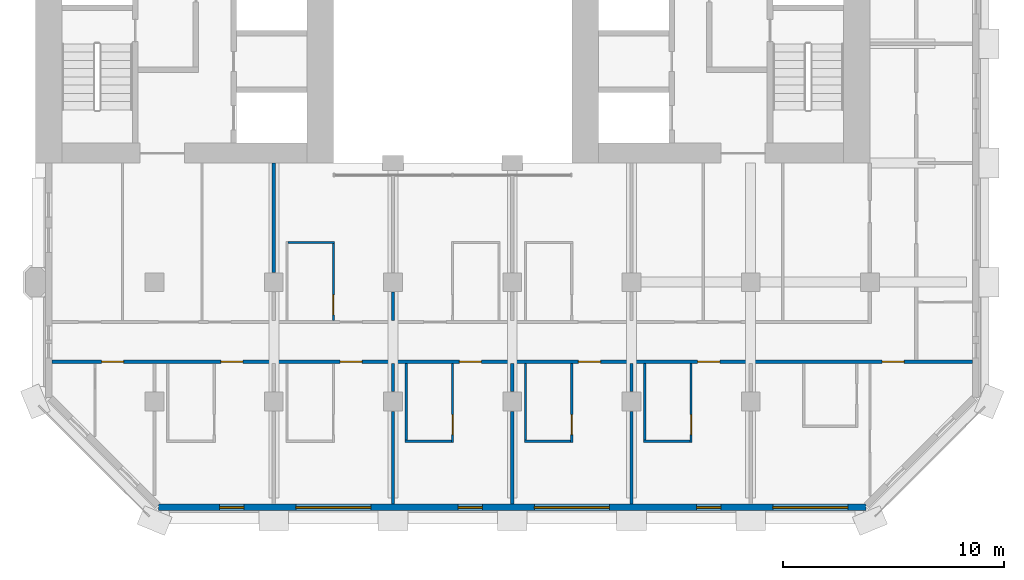
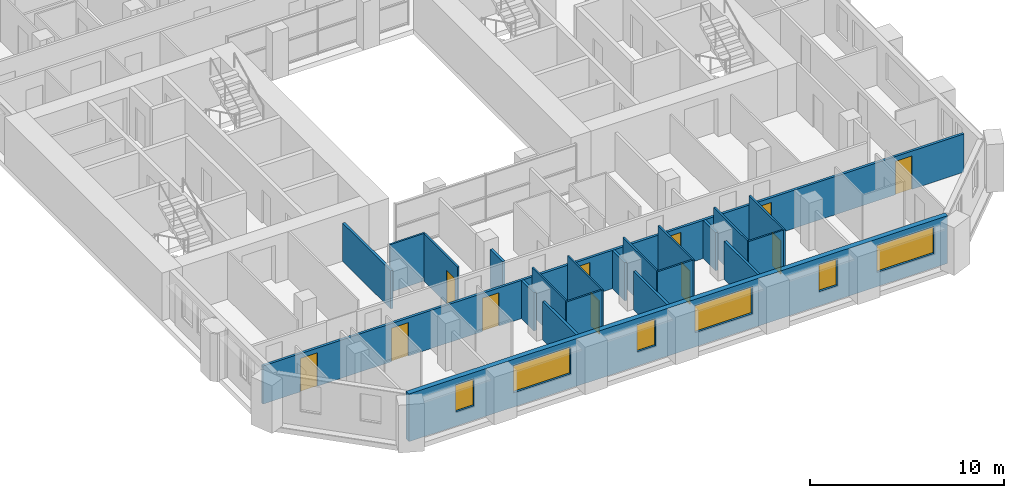
# One storey, part 8 of 16: 21 walls, 11 doors, 6 windows, 17 openings.
"""IFC4 building model written with IfcOpenShell, lengths in metres."""

from ifc_helpers import new_model, si_unit, direction, frame, frame_2d, origin, place, context, subcontext, project, spatial, rectangle, extrude, material, layer, layer_set, type_object, element, fill, save


model = new_model("IFC4")

# Units and contexts
model_context = context("Model", 3, precision=1e-05, world=origin(), true_north=direction((0.0, 1.0)))
body_context = subcontext(model_context, "Body", "Model", "MODEL_VIEW")
ifc_project = project(units=[si_unit("LENGTHUNIT", "METRE"), si_unit("AREAUNIT", "SQUARE_METRE"), si_unit("VOLUMEUNIT", "CUBIC_METRE"), si_unit("PLANEANGLEUNIT", "RADIAN"), si_unit("MASSUNIT", "GRAM", prefix="KILO")], contexts=[model_context])

# Site, building, storey
site_placement = place(None, origin())
site = spatial("IfcSite", under=ifc_project, at=site_placement, CompositionType="ELEMENT")
building_placement = place(site_placement, origin())
building = spatial("IfcBuilding", under=site, at=building_placement, Name="Tabaq Tower and Sports Hall", CompositionType="ELEMENT")
storey_placement = place(building_placement, frame((0.0, 0.0, 156.10009765625)))
storey = spatial("IfcBuildingStorey", under=building, at=storey_placement, Name="L36", CompositionType="ELEMENT", Elevation=156.10009765625)

# Wall
ifc_material_1 = material(Name="Gypsum board on steel studs", Category="steel")
ifc_layer_1 = layer(ifc_material_1, 0.10009765625)
ifc_layer_set_1 = layer_set([ifc_layer_1], Name="Partition 100 Gypsum board")
wall_type_1 = type_object("IfcWallType", Name="Partition 100 Gypsum board", PredefinedType="PARTITIONING", material=ifc_layer_set_1)
wall_1_placement = place(storey_placement, frame((16.85009765625, 12.60009765625, 0.0), z_axis=(0.0, 0.0, 1.0), x_axis=(1.0, 0.0, 0.0)))
element("IfcWall", 1, at=wall_1_placement, inside=storey, type_object=wall_type_1, Name="Partition wall L36", PredefinedType="PARTITIONING", context=body_context, shape_type="SweptSolid", body=[
    extrude(rectangle(XDim=2.099853515625, YDim=0.10009765625, at=frame_2d((1.0498046875, 0.0))), origin(), (0.0, 0.0, 1.0), 3.0),
])

# Wall, opening, door
wall_2_placement = place(storey_placement, frame((18.89990234375, 12.550048828125, 0.0), z_axis=(0.0, 0.0, 1.0), x_axis=(0.0, -1.0, 0.0)))
wall_2 = element("IfcWall", 2, at=wall_2_placement, inside=storey, type_object=wall_type_1, Name="Partition wall L36", PredefinedType="PARTITIONING", context=body_context, shape_type="SweptSolid", body=[
    extrude(rectangle(XDim=3.47509765625, YDim=0.10009765625, at=frame_2d((1.737548828125, 0.0))), origin(), (0.0, 0.0, 1.0), 3.0),
])
opening_1_placement = place(wall_2_placement, frame((2.324951171875, 0.0, 0.0)))
opening_1 = element("IfcOpeningElement", 3, at=opening_1_placement, cuts=wall_2, Name="Opening L36-014", PredefinedType="OPENING", context=body_context, shape_type="SweptSolid", body=[
    extrude(rectangle(XDim=0.89990234375, YDim=2.10009765625, at=frame_2d((0.449951171875, 1.050048828125))), frame((0.0, 0.050048828125, 0.0), z_axis=(0.0, -1.0, 0.0), x_axis=(1.0, 0.0, 0.0)), (0.0, 0.0, 1.0), 0.10009765625),
])
ifc_material_2 = material(Name="Timber leaf in steel frame", Category="steel")
door_type_1 = type_object("IfcDoorType", Name="Internal door 900 right hand", OperationType="SINGLE_SWING_RIGHT", PredefinedType="DOOR", material=ifc_material_2)
door_1_placement = place(opening_1_placement, origin())
door_1 = element("IfcDoor", 4, at=door_1_placement, inside=storey, type_object=door_type_1, Name="Internal door L36-014", OperationType="SINGLE_SWING_RIGHT", OverallHeight=2.10009765625, OverallWidth=0.89990234375, PredefinedType="DOOR", context=body_context, shape_type="SweptSolid", body=[
    extrude(rectangle(XDim=0.89990234375, YDim=2.10009765625, at=frame_2d((0.449951171875, 1.050048828125))), frame((0.0, 0.02490234375, 0.0), z_axis=(0.0, -1.0, 0.0), x_axis=(1.0, 0.0, 0.0)), (0.0, 0.0, 1.0), 0.050048828125),
])
fill(opening_1, door_1)

wall_3_placement = place(storey_placement, frame((24.300048828125, 7.125, 0.0), z_axis=(0.0, 0.0, 1.0), x_axis=(0.0, -1.0, 0.0)))
wall_3 = element("IfcWall", 5, at=wall_3_placement, inside=storey, type_object=wall_type_1, Name="Partition wall L36", PredefinedType="PARTITIONING", context=body_context, shape_type="SweptSolid", body=[
    extrude(rectangle(XDim=3.574951171875, YDim=0.10009765625, at=frame_2d((1.78759765625, 0.0))), origin(), (0.0, 0.0, 1.0), 3.0),
])
opening_2_placement = place(wall_3_placement, frame((2.324951171875, 0.0, 0.0)))
opening_2 = element("IfcOpeningElement", 6, at=opening_2_placement, cuts=wall_3, Name="Opening L36-021", PredefinedType="OPENING", context=body_context, shape_type="SweptSolid", body=[
    extrude(rectangle(XDim=0.89990234375, YDim=2.10009765625, at=frame_2d((0.449951171875, 1.050048828125))), frame((0.0, 0.050048828125, 0.0), z_axis=(0.0, -1.0, 0.0), x_axis=(1.0, 0.0, 0.0)), (0.0, 0.0, 1.0), 0.10009765625),
])
ifc_material_3 = material(Name="Timber leaf in steel frame", Category="steel")
door_type_2 = type_object("IfcDoorType", Name="Internal door 900 left hand", OperationType="SINGLE_SWING_LEFT", PredefinedType="DOOR", material=ifc_material_3)
door_2_placement = place(opening_2_placement, origin())
door_2 = element("IfcDoor", 7, at=door_2_placement, inside=storey, type_object=door_type_2, Name="Internal door L36-021", OperationType="SINGLE_SWING_LEFT", OverallHeight=2.10009765625, OverallWidth=0.89990234375, PredefinedType="DOOR", context=body_context, shape_type="SweptSolid", body=[
    extrude(rectangle(XDim=0.89990234375, YDim=2.10009765625, at=frame_2d((0.449951171875, 1.050048828125))), frame((0.0, 0.02490234375, 0.0), z_axis=(0.0, -1.0, 0.0), x_axis=(1.0, 0.0, 0.0)), (0.0, 0.0, 1.0), 0.050048828125),
])
fill(opening_2, door_2)

# Walls
wall_4_placement = place(storey_placement, frame((24.25, 3.60009765625, 0.0), z_axis=(0.0, 0.0, 1.0), x_axis=(-1.0, 0.0, 0.0)))
element("IfcWall", 8, at=wall_4_placement, inside=storey, type_object=wall_type_1, Name="Partition wall L36", PredefinedType="PARTITIONING", context=body_context, shape_type="SweptSolid", body=[
    extrude(rectangle(XDim=2.10009765625, YDim=0.10009765625, at=frame_2d((1.050048828125, 0.0))), origin(), (0.0, 0.0, 1.0), 3.0),
])
wall_5_placement = place(storey_placement, frame((22.199951171875, 3.64990234375, 0.0), z_axis=(0.0, 0.0, 1.0), x_axis=(0.0, 1.0, 0.0)))
element("IfcWall", 9, at=wall_5_placement, inside=storey, type_object=wall_type_1, Name="Partition wall L36", PredefinedType="PARTITIONING", context=body_context, shape_type="SweptSolid", body=[
    extrude(rectangle(XDim=3.47509765625, YDim=0.10009765625, at=frame_2d((1.737548828125, 0.0))), origin(), (0.0, 0.0, 1.0), 3.0),
])

# Wall, opening, door
wall_6_placement = place(storey_placement, frame((29.699951171875, 7.125, 0.0), z_axis=(0.0, 0.0, 1.0), x_axis=(0.0, -1.0, 0.0)))
wall_6 = element("IfcWall", 10, at=wall_6_placement, inside=storey, type_object=wall_type_1, Name="Partition wall L36", PredefinedType="PARTITIONING", context=body_context, shape_type="SweptSolid", body=[
    extrude(rectangle(XDim=3.574951171875, YDim=0.10009765625, at=frame_2d((1.78759765625, 0.0))), origin(), (0.0, 0.0, 1.0), 3.0),
])
opening_3_placement = place(wall_6_placement, frame((2.324951171875, 0.0, 0.0)))
opening_3 = element("IfcOpeningElement", 11, at=opening_3_placement, cuts=wall_6, Name="Opening L36-022", PredefinedType="OPENING", context=body_context, shape_type="SweptSolid", body=[
    extrude(rectangle(XDim=0.89990234375, YDim=2.10009765625, at=frame_2d((0.449951171875, 1.050048828125))), frame((0.0, 0.050048828125, 0.0), z_axis=(0.0, -1.0, 0.0), x_axis=(1.0, 0.0, 0.0)), (0.0, 0.0, 1.0), 0.10009765625),
])
door_3_placement = place(opening_3_placement, origin())
door_3 = element("IfcDoor", 12, at=door_3_placement, inside=storey, type_object=door_type_1, Name="Internal door L36-022", OperationType="SINGLE_SWING_RIGHT", OverallHeight=2.10009765625, OverallWidth=0.89990234375, PredefinedType="DOOR", context=body_context, shape_type="SweptSolid", body=[
    extrude(rectangle(XDim=0.89990234375, YDim=2.10009765625, at=frame_2d((0.449951171875, 1.050048828125))), frame((0.0, 0.02490234375, 0.0), z_axis=(0.0, -1.0, 0.0), x_axis=(1.0, 0.0, 0.0)), (0.0, 0.0, 1.0), 0.050048828125),
])
fill(opening_3, door_3)

# Walls
wall_7_placement = place(storey_placement, frame((29.64990234375, 3.60009765625, 0.0), z_axis=(0.0, 0.0, 1.0), x_axis=(-1.0, 0.0, 0.0)))
element("IfcWall", 13, at=wall_7_placement, inside=storey, type_object=wall_type_1, Name="Partition wall L36", PredefinedType="PARTITIONING", context=body_context, shape_type="SweptSolid", body=[
    extrude(rectangle(XDim=2.099853515625, YDim=0.10009765625, at=frame_2d((1.0498046875, 0.0))), origin(), (0.0, 0.0, 1.0), 3.0),
])
wall_8_placement = place(storey_placement, frame((27.60009765625, 3.64990234375, 0.0), z_axis=(0.0, 0.0, 1.0), x_axis=(0.0, 1.0, 0.0)))
element("IfcWall", 14, at=wall_8_placement, inside=storey, type_object=wall_type_1, Name="Partition wall L36", PredefinedType="PARTITIONING", context=body_context, shape_type="SweptSolid", body=[
    extrude(rectangle(XDim=3.47509765625, YDim=0.10009765625, at=frame_2d((1.737548828125, 0.0))), origin(), (0.0, 0.0, 1.0), 3.0),
])

# Wall, opening, door
wall_9_placement = place(storey_placement, frame((35.10009765625, 7.125, 0.0), z_axis=(0.0, 0.0, 1.0), x_axis=(0.0, -1.0, 0.0)))
wall_9 = element("IfcWall", 15, at=wall_9_placement, inside=storey, type_object=wall_type_1, Name="Partition wall L36", PredefinedType="PARTITIONING", context=body_context, shape_type="SweptSolid", body=[
    extrude(rectangle(XDim=3.574951171875, YDim=0.10009765625, at=frame_2d((1.78759765625, 0.0))), origin(), (0.0, 0.0, 1.0), 3.0),
])
opening_4_placement = place(wall_9_placement, frame((2.324951171875, 0.0, 0.0)))
opening_4 = element("IfcOpeningElement", 16, at=opening_4_placement, cuts=wall_9, Name="Opening L36-023", PredefinedType="OPENING", context=body_context, shape_type="SweptSolid", body=[
    extrude(rectangle(XDim=0.89990234375, YDim=2.10009765625, at=frame_2d((0.449951171875, 1.050048828125))), frame((0.0, 0.050048828125, 0.0), z_axis=(0.0, -1.0, 0.0), x_axis=(1.0, 0.0, 0.0)), (0.0, 0.0, 1.0), 0.10009765625),
])
door_4_placement = place(opening_4_placement, origin())
door_4 = element("IfcDoor", 17, at=door_4_placement, inside=storey, type_object=door_type_1, Name="Internal door L36-023", OperationType="SINGLE_SWING_RIGHT", OverallHeight=2.10009765625, OverallWidth=0.89990234375, PredefinedType="DOOR", context=body_context, shape_type="SweptSolid", body=[
    extrude(rectangle(XDim=0.89990234375, YDim=2.10009765625, at=frame_2d((0.449951171875, 1.050048828125))), frame((0.0, 0.02490234375, 0.0), z_axis=(0.0, -1.0, 0.0), x_axis=(1.0, 0.0, 0.0)), (0.0, 0.0, 1.0), 0.050048828125),
])
fill(opening_4, door_4)

# Walls
wall_10_placement = place(storey_placement, frame((35.050048828125, 3.60009765625, 0.0), z_axis=(0.0, 0.0, 1.0), x_axis=(-1.0, 0.0, 0.0)))
element("IfcWall", 18, at=wall_10_placement, inside=storey, type_object=wall_type_1, Name="Partition wall L36", PredefinedType="PARTITIONING", context=body_context, shape_type="SweptSolid", body=[
    extrude(rectangle(XDim=2.10009765625, YDim=0.10009765625, at=frame_2d((1.050048828125, 0.0))), origin(), (0.0, 0.0, 1.0), 3.0),
])
wall_11_placement = place(storey_placement, frame((33.0, 3.64990234375, 0.0), z_axis=(0.0, 0.0, 1.0), x_axis=(0.0, 1.0, 0.0)))
element("IfcWall", 19, at=wall_11_placement, inside=storey, type_object=wall_type_1, Name="Partition wall L36", PredefinedType="PARTITIONING", context=body_context, shape_type="SweptSolid", body=[
    extrude(rectangle(XDim=3.47509765625, YDim=0.10009765625, at=frame_2d((1.737548828125, 0.0))), origin(), (0.0, 0.0, 1.0), 3.0),
])
ifc_material_4 = material(Name="Blockwork", Category="masonry")
ifc_layer_2 = layer(ifc_material_4, 0.14990234375)
ifc_layer_set_2 = layer_set([ifc_layer_2], Name="Separating wall 150 Blockwork")
wall_type_2 = type_object("IfcWallType", Name="Separating wall 150 Blockwork", PredefinedType="PARTITIONING", material=ifc_layer_set_2)
wall_12_placement = place(storey_placement, frame((16.199951171875, 16.199951171875, 0.0), z_axis=(0.0, 0.0, 1.0), x_axis=(0.0, -1.0, 0.0)))
element("IfcWall", 20, at=wall_12_placement, inside=storey, type_object=wall_type_2, Name="Separating wall L36", PredefinedType="PARTITIONING", context=body_context, shape_type="SweptSolid", body=[
    extrude(rectangle(XDim=4.954833984375, YDim=0.14990234375, at=frame_2d((2.4775390625, 0.0))), origin(), (0.0, 0.0, 1.0), 2.39990234375),
])
wall_13_placement = place(storey_placement, frame((21.60009765625, 9.074951171875, 0.0), z_axis=(0.0, 0.0, 1.0), x_axis=(0.0, 1.0, 0.0)))
element("IfcWall", 21, at=wall_13_placement, inside=storey, type_object=wall_type_2, Name="Separating wall L36", PredefinedType="PARTITIONING", context=body_context, shape_type="SweptSolid", body=[
    extrude(rectangle(XDim=1.280029296875, YDim=0.14990234375, at=frame_2d((0.64013671875, 0.0))), origin(), (0.0, 0.0, 1.0), 2.39990234375),
])
wall_14_placement = place(storey_placement, frame((21.60009765625, 0.7509765625, 0.0), z_axis=(0.0, 0.0, 1.0), x_axis=(0.0, 1.0, 0.0)))
element("IfcWall", 22, at=wall_14_placement, inside=storey, type_object=wall_type_2, Name="Separating wall L36", PredefinedType="PARTITIONING", context=body_context, shape_type="SweptSolid", body=[
    extrude(rectangle(XDim=4.2041015625, YDim=0.14990234375, at=frame_2d((2.10205078125, 0.0))), origin(), (0.0, 0.0, 1.0), 2.39990234375),
])
wall_15_placement = place(storey_placement, frame((21.60009765625, 5.844970703125, 0.0), z_axis=(0.0, 0.0, 1.0), x_axis=(0.0, 1.0, 0.0)))
element("IfcWall", 23, at=wall_15_placement, inside=storey, type_object=wall_type_2, Name="Separating wall L36", PredefinedType="PARTITIONING", context=body_context, shape_type="SweptSolid", body=[
    extrude(rectangle(XDim=1.280029296875, YDim=0.14990234375, at=frame_2d((0.64013671875, 0.0))), origin(), (0.0, 0.0, 1.0), 2.39990234375),
])
wall_16_placement = place(storey_placement, frame((27.0, 0.7509765625, 0.0), z_axis=(0.0, 0.0, 1.0), x_axis=(0.0, 1.0, 0.0)))
element("IfcWall", 24, at=wall_16_placement, inside=storey, type_object=wall_type_2, Name="Separating wall L36", PredefinedType="PARTITIONING", context=body_context, shape_type="SweptSolid", body=[
    extrude(rectangle(XDim=4.2041015625, YDim=0.14990234375, at=frame_2d((2.10205078125, 0.0))), origin(), (0.0, 0.0, 1.0), 2.39990234375),
])
wall_17_placement = place(storey_placement, frame((27.0, 5.844970703125, 0.0), z_axis=(0.0, 0.0, 1.0), x_axis=(0.0, 1.0, 0.0)))
element("IfcWall", 25, at=wall_17_placement, inside=storey, type_object=wall_type_2, Name="Separating wall L36", PredefinedType="PARTITIONING", context=body_context, shape_type="SweptSolid", body=[
    extrude(rectangle(XDim=1.280029296875, YDim=0.14990234375, at=frame_2d((0.64013671875, 0.0))), origin(), (0.0, 0.0, 1.0), 2.39990234375),
])
wall_18_placement = place(storey_placement, frame((32.39990234375, 0.7509765625, 0.0), z_axis=(0.0, 0.0, 1.0), x_axis=(0.0, 1.0, 0.0)))
element("IfcWall", 26, at=wall_18_placement, inside=storey, type_object=wall_type_2, Name="Separating wall L36", PredefinedType="PARTITIONING", context=body_context, shape_type="SweptSolid", body=[
    extrude(rectangle(XDim=4.2041015625, YDim=0.14990234375, at=frame_2d((2.10205078125, 0.0))), origin(), (0.0, 0.0, 1.0), 2.39990234375),
])
wall_19_placement = place(storey_placement, frame((32.39990234375, 5.844970703125, 0.0), z_axis=(0.0, 0.0, 1.0), x_axis=(0.0, 1.0, 0.0)))
element("IfcWall", 27, at=wall_19_placement, inside=storey, type_object=wall_type_2, Name="Separating wall L36", PredefinedType="PARTITIONING", context=body_context, shape_type="SweptSolid", body=[
    extrude(rectangle(XDim=1.280029296875, YDim=0.14990234375, at=frame_2d((0.64013671875, 0.0))), origin(), (0.0, 0.0, 1.0), 2.39990234375),
])

# Wall, openings, doors
wall_20_placement = place(storey_placement, frame((6.15087890625, 7.199951171875, 0.0), z_axis=(0.0, 0.0, 1.0), x_axis=(1.0, 0.0, 0.0)))
wall_20 = element("IfcWall", 28, at=wall_20_placement, inside=storey, type_object=wall_type_2, Name="Separating wall L36", PredefinedType="PARTITIONING", context=body_context, shape_type="SweptSolid", body=[
    extrude(rectangle(XDim=41.6982421875, YDim=0.14990234375, at=frame_2d((20.84912109375, 0.0))), origin(), (0.0, 0.0, 1.0), 2.39990234375),
])
opening_5_placement = place(wall_20_placement, frame((2.2490234375, 0.0, 0.0)))
opening_5 = element("IfcOpeningElement", 29, at=opening_5_placement, cuts=wall_20, Name="Opening L36-045", PredefinedType="OPENING", context=body_context, shape_type="SweptSolid", body=[
    extrude(rectangle(XDim=1.0, YDim=2.10009765625, at=frame_2d((0.5, 1.050048828125))), frame((0.0, 0.074951171875, 0.0), z_axis=(0.0, -1.0, 0.0), x_axis=(1.0, 0.0, 0.0)), (0.0, 0.0, 1.0), 0.14990234375),
])
opening_6_placement = place(wall_20_placement, frame((7.64892578125, 0.0, 0.0)))
opening_6 = element("IfcOpeningElement", 30, at=opening_6_placement, cuts=wall_20, Name="Opening L36-046", PredefinedType="OPENING", context=body_context, shape_type="SweptSolid", body=[
    extrude(rectangle(XDim=1.0, YDim=2.10009765625, at=frame_2d((0.5, 1.050048828125))), frame((0.0, 0.074951171875, 0.0), z_axis=(0.0, -1.0, 0.0), x_axis=(1.0, 0.0, 0.0)), (0.0, 0.0, 1.0), 0.14990234375),
])
opening_7_placement = place(wall_20_placement, frame((13.049072265625, 0.0, 0.0)))
opening_7 = element("IfcOpeningElement", 31, at=opening_7_placement, cuts=wall_20, Name="Opening L36-047", PredefinedType="OPENING", context=body_context, shape_type="SweptSolid", body=[
    extrude(rectangle(XDim=1.0, YDim=2.10009765625, at=frame_2d((0.5, 1.050048828125))), frame((0.0, 0.074951171875, 0.0), z_axis=(0.0, -1.0, 0.0), x_axis=(1.0, 0.0, 0.0)), (0.0, 0.0, 1.0), 0.14990234375),
])
opening_8_placement = place(wall_20_placement, frame((18.448974609375, 0.0, 0.0)))
opening_8 = element("IfcOpeningElement", 32, at=opening_8_placement, cuts=wall_20, Name="Opening L36-048", PredefinedType="OPENING", context=body_context, shape_type="SweptSolid", body=[
    extrude(rectangle(XDim=1.0, YDim=2.10009765625, at=frame_2d((0.5, 1.050048828125))), frame((0.0, 0.074951171875, 0.0), z_axis=(0.0, -1.0, 0.0), x_axis=(1.0, 0.0, 0.0)), (0.0, 0.0, 1.0), 0.14990234375),
])
opening_9_placement = place(wall_20_placement, frame((23.84912109375, 0.0, 0.0)))
opening_9 = element("IfcOpeningElement", 33, at=opening_9_placement, cuts=wall_20, Name="Opening L36-049", PredefinedType="OPENING", context=body_context, shape_type="SweptSolid", body=[
    extrude(rectangle(XDim=1.0, YDim=2.10009765625, at=frame_2d((0.5, 1.050048828125))), frame((0.0, 0.074951171875, 0.0), z_axis=(0.0, -1.0, 0.0), x_axis=(1.0, 0.0, 0.0)), (0.0, 0.0, 1.0), 0.14990234375),
])
opening_10_placement = place(wall_20_placement, frame((29.2490234375, 0.0, 0.0)))
opening_10 = element("IfcOpeningElement", 34, at=opening_10_placement, cuts=wall_20, Name="Opening L36-050", PredefinedType="OPENING", context=body_context, shape_type="SweptSolid", body=[
    extrude(rectangle(XDim=1.0, YDim=2.10009765625, at=frame_2d((0.5, 1.050048828125))), frame((0.0, 0.074951171875, 0.0), z_axis=(0.0, -1.0, 0.0), x_axis=(1.0, 0.0, 0.0)), (0.0, 0.0, 1.0), 0.14990234375),
])
opening_11_placement = place(wall_20_placement, frame((37.59912109375, 0.0, 0.0)))
opening_11 = element("IfcOpeningElement", 35, at=opening_11_placement, cuts=wall_20, Name="Opening L36-052", PredefinedType="OPENING", context=body_context, shape_type="SweptSolid", body=[
    extrude(rectangle(XDim=1.0, YDim=2.10009765625, at=frame_2d((0.5, 1.050048828125))), frame((0.0, 0.074951171875, 0.0), z_axis=(0.0, -1.0, 0.0), x_axis=(1.0, 0.0, 0.0)), (0.0, 0.0, 1.0), 0.14990234375),
])
ifc_material_5 = material(Name="Steel fire door", Category="steel")
door_type_3 = type_object("IfcDoorType", Name="Entrance door 1000 left hand", OperationType="SINGLE_SWING_LEFT", PredefinedType="DOOR", material=ifc_material_5)
door_5_placement = place(opening_6_placement, origin())
door_5 = element("IfcDoor", 36, at=door_5_placement, inside=storey, type_object=door_type_3, Name="Entrance door L36-046", OperationType="SINGLE_SWING_LEFT", OverallHeight=2.10009765625, OverallWidth=1.0, PredefinedType="DOOR", context=body_context, shape_type="SweptSolid", body=[
    extrude(rectangle(XDim=1.0, YDim=2.10009765625, at=frame_2d((0.5, 1.050048828125))), frame((0.0, 0.02490234375, 0.0), z_axis=(0.0, -1.0, 0.0), x_axis=(1.0, 0.0, 0.0)), (0.0, 0.0, 1.0), 0.050048828125),
])
fill(opening_6, door_5)
door_6_placement = place(opening_7_placement, origin())
door_6 = element("IfcDoor", 37, at=door_6_placement, inside=storey, type_object=door_type_3, Name="Entrance door L36-047", OperationType="SINGLE_SWING_LEFT", OverallHeight=2.10009765625, OverallWidth=1.0, PredefinedType="DOOR", context=body_context, shape_type="SweptSolid", body=[
    extrude(rectangle(XDim=1.0, YDim=2.10009765625, at=frame_2d((0.5, 1.050048828125))), frame((0.0, 0.02490234375, 0.0), z_axis=(0.0, -1.0, 0.0), x_axis=(1.0, 0.0, 0.0)), (0.0, 0.0, 1.0), 0.050048828125),
])
fill(opening_7, door_6)
door_7_placement = place(opening_10_placement, origin())
door_7 = element("IfcDoor", 38, at=door_7_placement, inside=storey, type_object=door_type_3, Name="Entrance door L36-050", OperationType="SINGLE_SWING_LEFT", OverallHeight=2.10009765625, OverallWidth=1.0, PredefinedType="DOOR", context=body_context, shape_type="SweptSolid", body=[
    extrude(rectangle(XDim=1.0, YDim=2.10009765625, at=frame_2d((0.5, 1.050048828125))), frame((0.0, 0.02490234375, 0.0), z_axis=(0.0, -1.0, 0.0), x_axis=(1.0, 0.0, 0.0)), (0.0, 0.0, 1.0), 0.050048828125),
])
fill(opening_10, door_7)
ifc_material_6 = material(Name="Steel fire door", Category="steel")
door_type_4 = type_object("IfcDoorType", Name="Entrance door 1000 right hand", OperationType="SINGLE_SWING_RIGHT", PredefinedType="DOOR", material=ifc_material_6)
door_8_placement = place(opening_5_placement, origin())
door_8 = element("IfcDoor", 39, at=door_8_placement, inside=storey, type_object=door_type_4, Name="Entrance door L36-045", OperationType="SINGLE_SWING_RIGHT", OverallHeight=2.10009765625, OverallWidth=1.0, PredefinedType="DOOR", context=body_context, shape_type="SweptSolid", body=[
    extrude(rectangle(XDim=1.0, YDim=2.10009765625, at=frame_2d((0.5, 1.050048828125))), frame((0.0, 0.02490234375, 0.0), z_axis=(0.0, -1.0, 0.0), x_axis=(1.0, 0.0, 0.0)), (0.0, 0.0, 1.0), 0.050048828125),
])
fill(opening_5, door_8)
door_9_placement = place(opening_8_placement, origin())
door_9 = element("IfcDoor", 40, at=door_9_placement, inside=storey, type_object=door_type_4, Name="Entrance door L36-048", OperationType="SINGLE_SWING_RIGHT", OverallHeight=2.10009765625, OverallWidth=1.0, PredefinedType="DOOR", context=body_context, shape_type="SweptSolid", body=[
    extrude(rectangle(XDim=1.0, YDim=2.10009765625, at=frame_2d((0.5, 1.050048828125))), frame((0.0, 0.02490234375, 0.0), z_axis=(0.0, -1.0, 0.0), x_axis=(1.0, 0.0, 0.0)), (0.0, 0.0, 1.0), 0.050048828125),
])
fill(opening_8, door_9)
door_10_placement = place(opening_9_placement, origin())
door_10 = element("IfcDoor", 41, at=door_10_placement, inside=storey, type_object=door_type_4, Name="Entrance door L36-049", OperationType="SINGLE_SWING_RIGHT", OverallHeight=2.10009765625, OverallWidth=1.0, PredefinedType="DOOR", context=body_context, shape_type="SweptSolid", body=[
    extrude(rectangle(XDim=1.0, YDim=2.10009765625, at=frame_2d((0.5, 1.050048828125))), frame((0.0, 0.02490234375, 0.0), z_axis=(0.0, -1.0, 0.0), x_axis=(1.0, 0.0, 0.0)), (0.0, 0.0, 1.0), 0.050048828125),
])
fill(opening_9, door_10)
door_11_placement = place(opening_11_placement, origin())
door_11 = element("IfcDoor", 42, at=door_11_placement, inside=storey, type_object=door_type_4, Name="Entrance door L36-052", OperationType="SINGLE_SWING_RIGHT", OverallHeight=2.10009765625, OverallWidth=1.0, PredefinedType="DOOR", context=body_context, shape_type="SweptSolid", body=[
    extrude(rectangle(XDim=1.0, YDim=2.10009765625, at=frame_2d((0.5, 1.050048828125))), frame((0.0, 0.02490234375, 0.0), z_axis=(0.0, -1.0, 0.0), x_axis=(1.0, 0.0, 0.0)), (0.0, 0.0, 1.0), 0.050048828125),
])
fill(opening_11, door_11)

# Wall, openings, windows
ifc_material_7 = material(Name="White precast concrete C60/75", Category="concrete")
ifc_layer_3 = layer(ifc_material_7, 0.300048828125)
ifc_layer_set_3 = layer_set([ifc_layer_3], Name="White precast concrete C60/75 external wall 300")
wall_type_3 = type_object("IfcWallType", Name="White precast concrete C60/75 external wall 300", PredefinedType="SOLIDWALL", material=ifc_layer_set_3)
wall_21_placement = place(storey_placement, frame((10.986328125, 0.60009765625, 0.0), z_axis=(0.0, 0.0, 1.0), x_axis=(1.0, 0.0, 0.0)))
wall_21 = element("IfcWall", 43, at=wall_21_placement, inside=storey, type_object=wall_type_3, Name="External Wall L36 S", PredefinedType="SOLIDWALL", context=body_context, shape_type="SweptSolid", body=[
    extrude(rectangle(XDim=32.02734375, YDim=0.300048828125, at=frame_2d((16.013671875, 0.0))), origin(), (0.0, 0.0, 1.0), 3.0),
])
opening_12_placement = place(wall_21_placement, frame((2.763671875, 0.0, 0.89990234375)))
opening_12 = element("IfcOpeningElement", 44, at=opening_12_placement, cuts=wall_21, Name="Opening W1B", PredefinedType="OPENING", context=body_context, shape_type="SweptSolid", body=[
    extrude(rectangle(XDim=1.10009765625, YDim=1.699951171875, at=frame_2d((0.550048828125, 0.85009765625))), frame((0.0, 0.16015625, 0.0), z_axis=(0.0, -1.0, 0.0), x_axis=(1.0, 0.0, 0.0)), (0.0, 0.0, 1.0), 0.320068359375),
])
opening_13_placement = place(wall_21_placement, frame((6.213623046875, 0.0, 0.89990234375)))
opening_13 = element("IfcOpeningElement", 45, at=opening_13_placement, cuts=wall_21, Name="Opening W1A", PredefinedType="OPENING", context=body_context, shape_type="SweptSolid", body=[
    extrude(rectangle(XDim=3.39990234375, YDim=1.699951171875, at=frame_2d((1.699951171875, 0.85009765625))), frame((0.0, 0.16015625, 0.0), z_axis=(0.0, -1.0, 0.0), x_axis=(1.0, 0.0, 0.0)), (0.0, 0.0, 1.0), 0.320068359375),
])
opening_14_placement = place(wall_21_placement, frame((13.563720703125, 0.0, 0.89990234375)))
opening_14 = element("IfcOpeningElement", 46, at=opening_14_placement, cuts=wall_21, Name="Opening W1B", PredefinedType="OPENING", context=body_context, shape_type="SweptSolid", body=[
    extrude(rectangle(XDim=1.10009765625, YDim=1.699951171875, at=frame_2d((0.550048828125, 0.85009765625))), frame((0.0, 0.16015625, 0.0), z_axis=(0.0, -1.0, 0.0), x_axis=(1.0, 0.0, 0.0)), (0.0, 0.0, 1.0), 0.320068359375),
])
opening_15_placement = place(wall_21_placement, frame((17.013671875, 0.0, 0.89990234375)))
opening_15 = element("IfcOpeningElement", 47, at=opening_15_placement, cuts=wall_21, Name="Opening W1A", PredefinedType="OPENING", context=body_context, shape_type="SweptSolid", body=[
    extrude(rectangle(XDim=3.39990234375, YDim=1.699951171875, at=frame_2d((1.699951171875, 0.85009765625))), frame((0.0, 0.16015625, 0.0), z_axis=(0.0, -1.0, 0.0), x_axis=(1.0, 0.0, 0.0)), (0.0, 0.0, 1.0), 0.320068359375),
])
opening_16_placement = place(wall_21_placement, frame((24.363525390625, 0.0, 0.89990234375)))
opening_16 = element("IfcOpeningElement", 48, at=opening_16_placement, cuts=wall_21, Name="Opening W1B", PredefinedType="OPENING", context=body_context, shape_type="SweptSolid", body=[
    extrude(rectangle(XDim=1.10009765625, YDim=1.699951171875, at=frame_2d((0.550048828125, 0.85009765625))), frame((0.0, 0.16015625, 0.0), z_axis=(0.0, -1.0, 0.0), x_axis=(1.0, 0.0, 0.0)), (0.0, 0.0, 1.0), 0.320068359375),
])
opening_17_placement = place(wall_21_placement, frame((27.813720703125, 0.0, 0.89990234375)))
opening_17 = element("IfcOpeningElement", 49, at=opening_17_placement, cuts=wall_21, Name="Opening W1A", PredefinedType="OPENING", context=body_context, shape_type="SweptSolid", body=[
    extrude(rectangle(XDim=3.39990234375, YDim=1.699951171875, at=frame_2d((1.699951171875, 0.85009765625))), frame((0.0, 0.16015625, 0.0), z_axis=(0.0, -1.0, 0.0), x_axis=(1.0, 0.0, 0.0)), (0.0, 0.0, 1.0), 0.320068359375),
])
ifc_material_8 = material(Name="Aluminium framed clear glazing", Category="aluminium")
window_type_1 = type_object("IfcWindowType", Name="Window W1A", PartitioningType="SINGLE_PANEL", PredefinedType="WINDOW", material=ifc_material_8)
window_1_placement = place(opening_13_placement, origin())
window_1 = element("IfcWindow", 50, at=window_1_placement, inside=storey, type_object=window_type_1, Name="Window W1A L36", OverallHeight=1.699951171875, OverallWidth=3.39990234375, PartitioningType="SINGLE_PANEL", PredefinedType="WINDOW", context=body_context, shape_type="SweptSolid", body=[
    extrude(rectangle(XDim=3.39990234375, YDim=1.699951171875, at=frame_2d((1.699951171875, 0.85009765625))), frame((0.0, 0.030029296875, 0.0), z_axis=(0.0, -1.0, 0.0), x_axis=(1.0, 0.0, 0.0)), (0.0, 0.0, 1.0), 0.06005859375),
])
fill(opening_13, window_1)
window_2_placement = place(opening_15_placement, origin())
window_2 = element("IfcWindow", 51, at=window_2_placement, inside=storey, type_object=window_type_1, Name="Window W1A L36", OverallHeight=1.699951171875, OverallWidth=3.39990234375, PartitioningType="SINGLE_PANEL", PredefinedType="WINDOW", context=body_context, shape_type="SweptSolid", body=[
    extrude(rectangle(XDim=3.39990234375, YDim=1.699951171875, at=frame_2d((1.699951171875, 0.85009765625))), frame((0.0, 0.030029296875, 0.0), z_axis=(0.0, -1.0, 0.0), x_axis=(1.0, 0.0, 0.0)), (0.0, 0.0, 1.0), 0.06005859375),
])
fill(opening_15, window_2)
window_3_placement = place(opening_17_placement, origin())
window_3 = element("IfcWindow", 52, at=window_3_placement, inside=storey, type_object=window_type_1, Name="Window W1A L36", OverallHeight=1.699951171875, OverallWidth=3.39990234375, PartitioningType="SINGLE_PANEL", PredefinedType="WINDOW", context=body_context, shape_type="SweptSolid", body=[
    extrude(rectangle(XDim=3.39990234375, YDim=1.699951171875, at=frame_2d((1.699951171875, 0.85009765625))), frame((0.0, 0.030029296875, 0.0), z_axis=(0.0, -1.0, 0.0), x_axis=(1.0, 0.0, 0.0)), (0.0, 0.0, 1.0), 0.06005859375),
])
fill(opening_17, window_3)
ifc_material_9 = material(Name="Aluminium framed clear glazing", Category="aluminium")
window_type_2 = type_object("IfcWindowType", Name="Window W1B", PartitioningType="SINGLE_PANEL", PredefinedType="WINDOW", material=ifc_material_9)
window_4_placement = place(opening_12_placement, origin())
window_4 = element("IfcWindow", 53, at=window_4_placement, inside=storey, type_object=window_type_2, Name="Window W1B L36", OverallHeight=1.699951171875, OverallWidth=1.10009765625, PartitioningType="SINGLE_PANEL", PredefinedType="WINDOW", context=body_context, shape_type="SweptSolid", body=[
    extrude(rectangle(XDim=1.10009765625, YDim=1.699951171875, at=frame_2d((0.550048828125, 0.85009765625))), frame((0.0, 0.030029296875, 0.0), z_axis=(0.0, -1.0, 0.0), x_axis=(1.0, 0.0, 0.0)), (0.0, 0.0, 1.0), 0.06005859375),
])
fill(opening_12, window_4)
window_5_placement = place(opening_14_placement, origin())
window_5 = element("IfcWindow", 54, at=window_5_placement, inside=storey, type_object=window_type_2, Name="Window W1B L36", OverallHeight=1.699951171875, OverallWidth=1.10009765625, PartitioningType="SINGLE_PANEL", PredefinedType="WINDOW", context=body_context, shape_type="SweptSolid", body=[
    extrude(rectangle(XDim=1.10009765625, YDim=1.699951171875, at=frame_2d((0.550048828125, 0.85009765625))), frame((0.0, 0.030029296875, 0.0), z_axis=(0.0, -1.0, 0.0), x_axis=(1.0, 0.0, 0.0)), (0.0, 0.0, 1.0), 0.06005859375),
])
fill(opening_14, window_5)
window_6_placement = place(opening_16_placement, origin())
window_6 = element("IfcWindow", 55, at=window_6_placement, inside=storey, type_object=window_type_2, Name="Window W1B L36", OverallHeight=1.699951171875, OverallWidth=1.10009765625, PartitioningType="SINGLE_PANEL", PredefinedType="WINDOW", context=body_context, shape_type="SweptSolid", body=[
    extrude(rectangle(XDim=1.10009765625, YDim=1.699951171875, at=frame_2d((0.550048828125, 0.85009765625))), frame((0.0, 0.030029296875, 0.0), z_axis=(0.0, -1.0, 0.0), x_axis=(1.0, 0.0, 0.0)), (0.0, 0.0, 1.0), 0.06005859375),
])
fill(opening_16, window_6)

save(model, "model.ifc")
